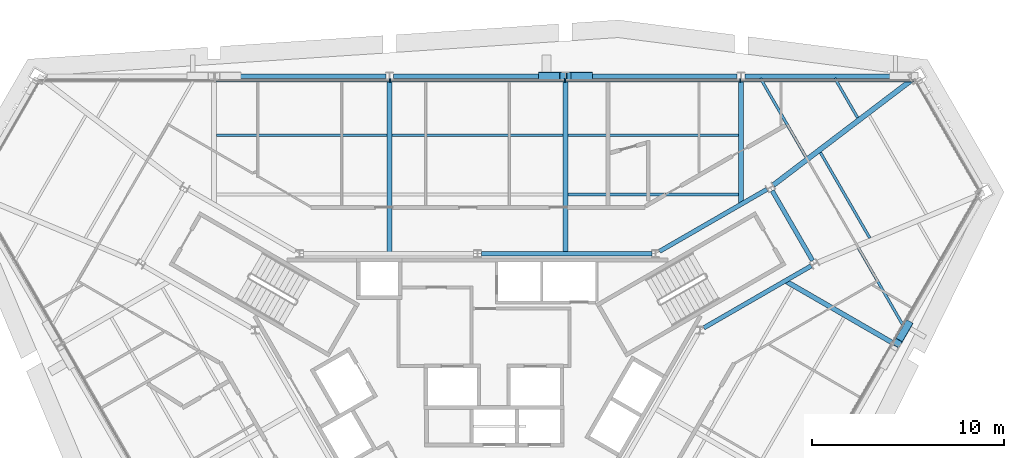
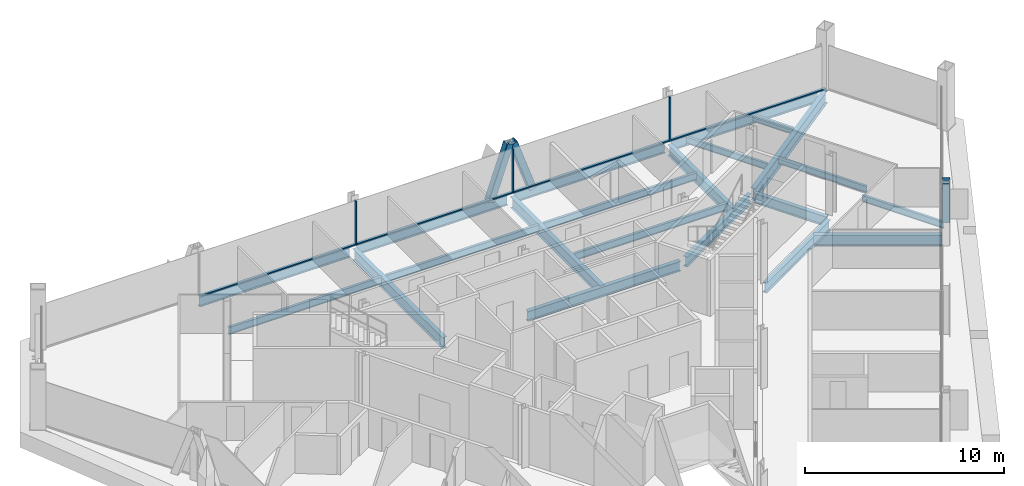
# One storey, part 7 of 15: 21 beams, 10 members, 1 element without a shape of its own.
"""IFC4 building model written with IfcOpenShell, lengths in metres."""

import ifcopenshell
import ifcopenshell.guid

model = None  # the IFC model being written
_history = None  # IfcOwnerHistory: only IFC2X3 demands one
_inside = {}  # id of a spatial element -> (the spatial element, [elements in it])
_under = {}  # id of a project, library or spatial element -> (it, [spatial elements below it])
_declared = {}  # id of a project -> (the project, [libraries it declares])
_typed = {}  # id of a type object -> (the type object, [elements of that type])
_made_of = {}  # id of a material, layer set ... -> (it, [elements and type objects made of it])


def new_model(schema):
    """Start an empty IFC model of exactly this schema.

    Asked for "IFC4X3", IfcOpenShell would pick the latest addendum, in which some entities
    have other attributes; the version numbers below select the first issue.
    IFC2X3 requires an IfcOwnerHistory on every rooted entity: one is made here for all.
    """
    global model, _history
    if schema == "IFC4X3":
        model = ifcopenshell.file(schema_version=(4, 3, 0, 0))
    else:
        model = ifcopenshell.file(schema=schema)
    _inside.clear()
    _under.clear()
    _declared.clear()
    _typed.clear()
    _made_of.clear()
    _history = None
    if model.schema == "IFC2X3":
        org = make("IfcOrganization", Name="unknown")
        user = make(
            "IfcPersonAndOrganization",
            ThePerson=make("IfcPerson", FamilyName="unknown"),
            TheOrganization=org,
        )
        app = make(
            "IfcApplication",
            ApplicationDeveloper=org,
            Version="unknown",
            ApplicationFullName="unknown",
            ApplicationIdentifier="unknown",
        )
        _history = make(
            "IfcOwnerHistory",
            OwningUser=user,
            OwningApplication=app,
            ChangeAction="ADDED",
            CreationDate=0,
        )
    return model


def make(cls, **values):
    """One entity of the class cls with the attributes given. An attribute that is None is left unset."""
    return model.create_entity(
        cls, **{name: value for name, value in values.items() if value is not None}
    )


def rooted(cls, **values):
    """An entity with a GlobalId (a new one), such as an element, a storey or a relation."""
    return make(cls, GlobalId=ifcopenshell.guid.new(), OwnerHistory=_history, **values)


def si_unit(unit_type, name, prefix=None):
    """IfcSIUnit, for example si_unit("LENGTHUNIT", "METRE", prefix="MILLI")."""
    return make("IfcSIUnit", UnitType=unit_type, Prefix=prefix, Name=name)


def assignment(units):
    """IfcUnitAssignment: the units of a project."""
    return None if units is None else make("IfcUnitAssignment", Units=units)


def point(xyz):
    """IfcCartesianPoint."""
    return None if xyz is None else make("IfcCartesianPoint", Coordinates=xyz)


def direction(xyz):
    """IfcDirection."""
    return None if xyz is None else make("IfcDirection", DirectionRatios=xyz)


def frame(location, z_axis=None, x_axis=None):
    """IfcAxis2Placement3D, a coordinate frame: its origin and axes. An axis left out is left unset."""
    return make(
        "IfcAxis2Placement3D",
        Location=point(location),
        Axis=direction(z_axis),
        RefDirection=direction(x_axis),
    )


def frame_2d(location, x_axis=None):
    """IfcAxis2Placement2D, a coordinate frame in the plane: its origin and x axis."""
    return make(
        "IfcAxis2Placement2D", Location=point(location), RefDirection=direction(x_axis)
    )


def origin():
    """The frame at (0, 0, 0) with its axes left unset."""
    return frame((0.0, 0.0, 0.0))


def origin_2d():
    """The frame at (0, 0) in the plane with its x axis left unset."""
    return frame_2d((0.0, 0.0))


def place(relative_to, where):
    """IfcLocalPlacement: puts the frame where relative to a parent placement (None: the world)."""
    return make(
        "IfcLocalPlacement", PlacementRelTo=relative_to, RelativePlacement=where
    )


def context(
    kind, dimensions, precision=None, world=None, true_north=None, identifier=None
):
    """IfcGeometricRepresentationContext, for example the 3D "Model" context."""
    return make(
        "IfcGeometricRepresentationContext",
        ContextIdentifier=identifier,
        ContextType=kind,
        CoordinateSpaceDimension=dimensions,
        Precision=precision,
        WorldCoordinateSystem=world,
        TrueNorth=true_north,
    )


def subcontext(parent, identifier, kind, view, scale=None):
    """IfcGeometricRepresentationSubContext, for example "Body" below "Model"."""
    return make(
        "IfcGeometricRepresentationSubContext",
        ContextIdentifier=identifier,
        ContextType=kind,
        ParentContext=parent,
        TargetScale=scale,
        TargetView=view,
    )


def project(units=None, contexts=None):
    """IfcProject with its units and contexts."""
    return rooted(
        "IfcProject",
        Name="project",
        RepresentationContexts=contexts,
        UnitsInContext=assignment(units),
    )


def spatial(cls, under=None, at=None, **own):
    """A site, building, storey or space (cls), placed at a placement, below another one or the project."""
    s = rooted(cls, ObjectPlacement=at, **own)
    if under is not None:
        _under.setdefault(under.id(), (under, []))[1].append(s)
    return s


def profile(cls, at=None, kind="AREA", **sizes):
    """A parametric profile (cls). Its sizes go by their IFC names, for example OverallWidth=200.0."""
    return make(cls, ProfileType=kind, Position=at, **sizes)


def rectangle(**sizes):
    """IfcRectangleProfileDef."""
    return profile("IfcRectangleProfileDef", **sizes)


def hollow_rectangle(**sizes):
    """IfcRectangleHollowProfileDef."""
    return profile("IfcRectangleHollowProfileDef", **sizes)


def i_section(**sizes):
    """IfcIShapeProfileDef."""
    return profile("IfcIShapeProfileDef", **sizes)


def extrude(swept, where, along, depth):
    """IfcExtrudedAreaSolid: the profile swept, set in the frame where, extruded along a direction by depth."""
    return make(
        "IfcExtrudedAreaSolid",
        SweptArea=swept,
        Position=where,
        ExtrudedDirection=direction(along),
        Depth=depth,
    )


def shape(context_of_items, identifier, shape_type, items):
    """IfcShapeRepresentation: the items that make up one representation, for example the "Body"."""
    return make(
        "IfcShapeRepresentation",
        ContextOfItems=context_of_items,
        RepresentationIdentifier=identifier,
        RepresentationType=shape_type,
        Items=items,
    )


def material(Name=None, Category=None):
    """IfcMaterial."""
    return make("IfcMaterial", Name=Name, Category=Category)


def material_profile(
    of_material, cross_section, Name=None, Category=None, Priority=None
):
    """IfcMaterialProfile: a cross section and its material."""
    return make(
        "IfcMaterialProfile",
        Name=Name,
        Material=of_material,
        Profile=cross_section,
        Priority=Priority,
        Category=Category,
    )


def profile_set(profiles, Name=None, composite=None):
    """IfcMaterialProfileSet."""
    return make(
        "IfcMaterialProfileSet",
        Name=Name,
        MaterialProfiles=profiles,
        CompositeProfile=composite,
    )


def made_of(thing, what):
    """Note that an element or type object is made of a material, layer set ...; save() writes the relation."""
    if what is not None:
        _made_of.setdefault(what.id(), (what, []))[1].append(thing)
    return thing


def type_object(cls, material=None, **own):
    """A type object (cls), such as IfcWallType, which elements share."""
    return made_of(rooted(cls, **own), material)


def element(
    cls,
    number,
    at=None,
    inside=None,
    cuts=None,
    type_object=None,
    material=None,
    context=None,
    identifier="Body",
    shape_type=None,
    held_by="IfcProductDefinitionShape",
    body=None,
    shapes=None,
    **own,
):
    """One element of the class cls, such as IfcWall. Its Tag is "e" and its number.

    at: its placement. inside: the storey or other place that contains it. cuts: it is an
    opening in that element (IfcRelVoidsElement). A single representation is given by context,
    identifier, shape_type and body (its items); several are given by shapes. held_by: the class
    of the entity that holds the representations. save() writes the other relations.
    """
    e = rooted(cls, Tag="e%d" % number, ObjectPlacement=at, **own)
    if body is not None:
        shapes = [shape(context, identifier, shape_type, body)]
    if shapes is not None:
        e.Representation = make(held_by, Representations=shapes)
    if inside is not None:
        _inside.setdefault(inside.id(), (inside, []))[1].append(e)
    if cuts is not None:
        rooted(
            "IfcRelVoidsElement", RelatingBuildingElement=cuts, RelatedOpeningElement=e
        )
    if type_object is not None:
        _typed.setdefault(type_object.id(), (type_object, []))[1].append(e)
    return made_of(e, material)


def aggregate(whole, parts):
    """IfcRelAggregates: a whole, such as a stair, and the parts it consists of."""
    return rooted("IfcRelAggregates", RelatingObject=whole, RelatedObjects=parts)


def save(model, path):
    """Write the relations noted so far, then the file.

    IfcRelAggregates (storeys below a building ...), IfcRelContainedInSpatialStructure (elements
    in a storey), IfcRelDefinesByType, IfcRelAssociatesMaterial and IfcRelDeclares: one each for
    every whole, place, type object, material and project.
    """
    for whole, parts in _under.values():
        aggregate(whole, parts)
    for where, things in _inside.values():
        rooted(
            "IfcRelContainedInSpatialStructure",
            RelatedElements=things,
            RelatingStructure=where,
        )
    for kind, things in _typed.values():
        rooted("IfcRelDefinesByType", RelatedObjects=things, RelatingType=kind)
    for what, things in _made_of.values():
        rooted("IfcRelAssociatesMaterial", RelatedObjects=things, RelatingMaterial=what)
    for by, libraries in _declared.values():
        rooted("IfcRelDeclares", RelatingContext=by, RelatedDefinitions=libraries)
    model.write(path)


model = new_model("IFC4")

# Units and contexts
model_context = context("Model", 3, precision=1e-05, world=origin(), true_north=direction((0.0, 1.0)))
body_context = subcontext(model_context, "Body", "Model", "MODEL_VIEW")
ifc_project = project(units=[si_unit("LENGTHUNIT", "METRE"), si_unit("AREAUNIT", "SQUARE_METRE"), si_unit("VOLUMEUNIT", "CUBIC_METRE"), si_unit("PLANEANGLEUNIT", "RADIAN"), si_unit("MASSUNIT", "GRAM", prefix="KILO")], contexts=[model_context])

# Site, building, storey
site_placement = place(None, origin())
site = spatial("IfcSite", under=ifc_project, at=site_placement, CompositionType="ELEMENT")
building_placement = place(site_placement, origin())
building = spatial("IfcBuilding", under=site, at=building_placement, Name="Verrane Prism Tower", CompositionType="ELEMENT")
storey_placement = place(building_placement, frame((0.0, 0.0, 254.5)))
storey = spatial("IfcBuildingStorey", under=building, at=storey_placement, Name="L64", CompositionType="ELEMENT", Elevation=254.5)

# Beams
ifc_material_1 = material(Name="Steel A992", Category="steel")
ifc_material_profile_1 = material_profile(ifc_material_1, i_section(OverallWidth=0.23046875, OverallDepth=0.6171875, WebThickness=0.01318359375, FlangeThickness=0.022216796875, FilletRadius=0.012939453125, at=origin_2d()), Name="W24x94")
ifc_profile_set_1 = profile_set([ifc_material_profile_1], Name="Steel A992")
beam_type_1 = type_object("IfcBeamType", Name="Core ring girder W24x94", PredefinedType="BEAM", material=ifc_profile_set_1)
beam_1_placement = place(storey_placement, frame((11.759521484375, 4.135009765625, -0.55859375), z_axis=(0.866080992722, 0.499903704773, 0.0), x_axis=(-0.499903704773, 0.866080992722, 0.0)))
element("IfcBeam", 1, at=beam_1_placement, inside=storey, type_object=beam_type_1, Name="Core ring girder L64", PredefinedType="BEAM", context=body_context, shape_type="SweptSolid", body=[
    extrude(i_section(OverallWidth=0.23046875, OverallDepth=0.6171875, WebThickness=0.01318359375, FlangeThickness=0.022216796875, FilletRadius=0.012939453125, at=origin_2d()), origin(), (0.0, 0.0, 1.0), 6.451904296875),
])
beam_2_placement = place(storey_placement, frame((17.419677734375, 7.6337890625, -0.55859375), z_axis=(-0.500375511519, 0.865808493532, 0.0), x_axis=(-0.865808493532, -0.500375511519, 0.0)))
element("IfcBeam", 2, at=beam_2_placement, inside=storey, type_object=beam_type_1, Name="Core ring girder L64", PredefinedType="BEAM", context=body_context, shape_type="SweptSolid", body=[
    extrude(i_section(OverallWidth=0.23046875, OverallDepth=0.6171875, WebThickness=0.01318359375, FlangeThickness=0.022216796875, FilletRadius=0.012939453125, at=origin_2d()), origin(), (0.0, 0.0, 1.0), 4.195556640625),
])
beam_3_placement = place(storey_placement, frame((15.04736328125, 11.34033203125, -0.55859375), z_axis=(-0.866080992722, -0.499903704773, 0.0), x_axis=(0.499903704773, -0.866080992722, 0.0)))
element("IfcBeam", 3, at=beam_3_placement, inside=storey, type_object=beam_type_1, Name="Core ring girder L64", PredefinedType="BEAM", context=body_context, shape_type="SweptSolid", body=[
    extrude(i_section(OverallWidth=0.23046875, OverallDepth=0.6171875, WebThickness=0.01318359375, FlangeThickness=0.022216796875, FilletRadius=0.012939453125, at=origin_2d()), origin(), (0.0, 0.0, 1.0), 6.451904296875),
])
beam_4_placement = place(storey_placement, frame((9.060546875, 8.0, -0.55859375), z_axis=(-1.0, 0.0, 0.0), x_axis=(0.0, -1.0, 0.0)))
element("IfcBeam", 4, at=beam_4_placement, inside=storey, type_object=beam_type_1, Name="Core ring girder L64", PredefinedType="BEAM", context=body_context, shape_type="SweptSolid", body=[
    extrude(i_section(OverallWidth=0.23046875, OverallDepth=0.6171875, WebThickness=0.01318359375, FlangeThickness=0.022216796875, FilletRadius=0.012939453125, at=origin_2d()), origin(), (0.0, 0.0, 1.0), 8.861083984375),
])
ifc_material_2 = material(Name="Steel A992", Category="steel")
ifc_material_profile_2 = material_profile(ifc_material_2, i_section(OverallWidth=0.2666015625, OverallDepth=0.76708984375, WebThickness=0.014892578125, FlangeThickness=0.023681640625, FilletRadius=0.0166015625, at=origin_2d()), Name="W30x124")
ifc_profile_set_2 = profile_set([ifc_material_profile_2], Name="Steel A992")
beam_type_2 = type_object("IfcBeamType", Name="Corner girder W30x124", PredefinedType="BEAM", material=ifc_profile_set_2)
beam_5_placement = place(storey_placement, frame((22.838134765625, 17.228515625, -0.603515625), z_axis=(-0.796227983739, -0.604996692479, 0.0), x_axis=(0.604996692479, -0.796227983739, 0.0)))
element("IfcBeam", 5, at=beam_5_placement, inside=storey, type_object=beam_type_2, Name="Corner girder L64", PredefinedType="BEAM", context=body_context, shape_type="SweptSolid", body=[
    extrude(i_section(OverallWidth=0.2666015625, OverallDepth=0.76708984375, WebThickness=0.014892578125, FlangeThickness=0.023681640625, FilletRadius=0.0166015625, at=origin_2d()), origin(), (0.0, 0.0, 1.0), 9.366943359375),
])

# Members
ifc_material_3 = material(Name="Steel A500 Grade C", Category="steel")
ifc_material_profile_3 = material_profile(ifc_material_3, hollow_rectangle(XDim=0.406494140625, YDim=0.406494140625, WallThickness=0.01904296875, InnerFilletRadius=0.009521484375, OuterFilletRadius=0.028564453125, at=origin_2d()), Name="HSS16x16x3/4")
ifc_profile_set_3 = profile_set([ifc_material_profile_3], Name="Steel A500 Grade C")
member_type_1 = type_object("IfcMemberType", Name="Facade brace HSS16x16x3/4", PredefinedType="BRACE", material=ifc_profile_set_3)
member_1_placement = place(storey_placement, frame((5.786376953125, 17.22998046875, -0.216796875), z_axis=(-0.329540368296, 0.0, 0.944141486041), x_axis=(0.0, -1.0, 0.0)))
element("IfcMember", 6, at=member_1_placement, inside=storey, type_object=member_type_1, Name="Facade brace N1 L64", PredefinedType="BRACE", context=body_context, shape_type="SweptSolid", body=[
    extrude(hollow_rectangle(XDim=0.406494140625, YDim=0.406494140625, WallThickness=0.01904296875, InnerFilletRadius=0.009521484375, OuterFilletRadius=0.028564453125, at=origin_2d()), origin(), (0.0, 0.0, 1.0), 3.3701171875),
])
member_2_placement = place(storey_placement, frame((3.35205078125, 17.22998046875, -0.216796875), z_axis=(0.32870049797, 0.0, 0.944434212973), x_axis=(0.0, 1.0, 0.0)))
element("IfcMember", 7, at=member_2_placement, inside=storey, type_object=member_type_1, Name="Facade brace N2 L64", PredefinedType="BRACE", context=body_context, shape_type="SweptSolid", body=[
    extrude(hollow_rectangle(XDim=0.406494140625, YDim=0.406494140625, WallThickness=0.01904296875, InnerFilletRadius=0.009521484375, OuterFilletRadius=0.028564453125, at=origin_2d()), origin(), (0.0, 0.0, 1.0), 3.369140625),
])
member_3_placement = place(storey_placement, frame((22.37890625, 4.30419921875, -0.216796875), z_axis=(-0.163928143657, -0.284663902866, 0.944507292784), x_axis=(0.86658198229, -0.499034736237, 0.0)))
element("IfcMember", 8, at=member_3_placement, inside=storey, type_object=member_type_1, Name="Facade brace SE4 L64", PredefinedType="BRACE", context=body_context, shape_type="SweptSolid", body=[
    extrude(hollow_rectangle(XDim=0.406494140625, YDim=0.406494140625, WallThickness=0.01904296875, InnerFilletRadius=0.009521484375, OuterFilletRadius=0.028564453125, at=origin_2d()), origin(), (0.0, 0.0, 1.0), 3.368896484375),
])

# Beams
ifc_material_4 = material(Name="Steel A992", Category="steel")
ifc_material_profile_4 = material_profile(ifc_material_4, i_section(OverallWidth=0.140380859375, OverallDepth=0.40380859375, WebThickness=0.007080078125, FlangeThickness=0.01123046875, FilletRadius=0.01025390625, at=origin_2d()), Name="W16x31")
ifc_profile_set_4 = profile_set([ifc_material_profile_4], Name="Steel A992")
beam_type_3 = type_object("IfcBeamType", Name="Floor beam W16x31", PredefinedType="BEAM", material=ifc_profile_set_4)
beam_6_placement = place(storey_placement, frame((19.7626953125, 15.0595703125, -0.36181640625), z_axis=(-0.499945073215, 0.866057113456, 0.0), x_axis=(-0.866057113456, -0.499945073215, 0.0)))
element("IfcBeam", 9, at=beam_6_placement, inside=storey, type_object=beam_type_3, Name="Floor beam L64", PredefinedType="BEAM", context=body_context, shape_type="SweptSolid", body=[
    extrude(i_section(OverallWidth=0.140380859375, OverallDepth=0.40380859375, WebThickness=0.007080078125, FlangeThickness=0.01123046875, FilletRadius=0.01025390625, at=origin_2d()), origin(), (0.0, 0.0, 1.0), 2.373291015625),
])
beam_7_placement = place(storey_placement, frame((17.073974609375, 13.016357421875, -0.36181640625), z_axis=(-0.499978475836, 0.86603783041, 0.0), x_axis=(-0.86603783041, -0.499978475836, 0.0)))
element("IfcBeam", 10, at=beam_7_placement, inside=storey, type_object=beam_type_3, Name="Floor beam L64", PredefinedType="BEAM", context=body_context, shape_type="SweptSolid", body=[
    extrude(i_section(OverallWidth=0.140380859375, OverallDepth=0.40380859375, WebThickness=0.007080078125, FlangeThickness=0.01123046875, FilletRadius=0.01025390625, at=origin_2d()), origin(), (0.0, 0.0, 1.0), 4.732666015625),
])
beam_8_placement = place(storey_placement, frame((22.175048828125, 4.180908203125, -0.36181640625), z_axis=(-0.49998166818, 0.866035987407, 0.0), x_axis=(-0.866035987407, -0.49998166818, 0.0)))
element("IfcBeam", 11, at=beam_8_placement, inside=storey, type_object=beam_type_3, Name="Floor beam L64", PredefinedType="BEAM", context=body_context, shape_type="SweptSolid", body=[
    extrude(i_section(OverallWidth=0.140380859375, OverallDepth=0.40380859375, WebThickness=0.007080078125, FlangeThickness=0.01123046875, FilletRadius=0.01025390625, at=origin_2d()), origin(), (0.0, 0.0, 1.0), 4.728759765625),
])
beam_9_placement = place(storey_placement, frame((20.392822265625, 8.809814453125, -0.36181640625), z_axis=(-0.499987429501, 0.866032661244, 0.0), x_axis=(-0.866032661244, -0.499987429501, 0.0)))
element("IfcBeam", 12, at=beam_9_placement, inside=storey, type_object=beam_type_3, Name="Floor beam L64", PredefinedType="BEAM", context=body_context, shape_type="SweptSolid", body=[
    extrude(i_section(OverallWidth=0.140380859375, OverallDepth=0.40380859375, WebThickness=0.007080078125, FlangeThickness=0.01123046875, FilletRadius=0.01025390625, at=origin_2d()), origin(), (0.0, 0.0, 1.0), 5.131103515625),
])
ifc_material_5 = material(Name="Steel A992", Category="steel")
ifc_material_profile_5 = material_profile(ifc_material_5, i_section(OverallWidth=0.15234375, OverallDepth=0.449462890625, WebThickness=0.007568359375, FlangeThickness=0.0107421875, FilletRadius=0.01025390625, at=origin_2d()), Name="W18x35")
ifc_profile_set_5 = profile_set([ifc_material_profile_5], Name="Steel A992")
beam_type_4 = type_object("IfcBeamType", Name="Floor beam W18x35", PredefinedType="BEAM", material=ifc_profile_set_5)
for number, where, z_axis, x_axis, name in (
    (13, (4.697021484375, 11.07666015625, -0.384765625), (1.0, 0.0, 0.0), (0.0, 1.0, 0.0), "Floor beam L64"),
    (14, (4.697021484375, 14.1533203125, -0.384765625), (1.0, 0.0, 0.0), (0.0, 1.0, 0.0), "Floor beam L64"),
):
    element("IfcBeam", number, at=place(storey_placement, frame(where, z_axis=z_axis, x_axis=x_axis)), inside=storey, type_object=beam_type_4, Name=name, PredefinedType="BEAM", context=body_context, shape_type="SweptSolid", body=[
        extrude(i_section(OverallWidth=0.15234375, OverallDepth=0.449462890625, WebThickness=0.007568359375, FlangeThickness=0.0107421875, FilletRadius=0.01025390625, at=origin_2d()), origin(), (0.0, 0.0, 1.0), 8.8759765625),
    ])
beam_10_placement = place(storey_placement, frame((-4.443115234375, 14.1533203125, -0.384765625), z_axis=(1.0, 0.0, 0.0), x_axis=(0.0, 1.0, 0.0)))
element("IfcBeam", 15, at=beam_10_placement, inside=storey, type_object=beam_type_4, Name="Floor beam L64", PredefinedType="BEAM", context=body_context, shape_type="SweptSolid", body=[
    extrude(i_section(OverallWidth=0.15234375, OverallDepth=0.449462890625, WebThickness=0.007568359375, FlangeThickness=0.0107421875, FilletRadius=0.01025390625, at=origin_2d()), origin(), (0.0, 0.0, 1.0), 8.88623046875),
])
beam_11_placement = place(storey_placement, frame((-13.572998046875, 14.1533203125, -0.384765625), z_axis=(1.0, 0.0, 0.0), x_axis=(0.0, 1.0, 0.0)))
element("IfcBeam", 16, at=beam_11_placement, inside=storey, type_object=beam_type_4, Name="Floor beam L64", PredefinedType="BEAM", context=body_context, shape_type="SweptSolid", body=[
    extrude(i_section(OverallWidth=0.15234375, OverallDepth=0.449462890625, WebThickness=0.007568359375, FlangeThickness=0.0107421875, FilletRadius=0.01025390625, at=origin_2d()), origin(), (0.0, 0.0, 1.0), 8.8759765625),
])

# Curtain wall, members
ifc_material_6 = material(Name="Aluminium framed insulated glazing", Category="aluminium")
curtain_wall_type = type_object("IfcCurtainWallType", Name="Curtain wall CW-A 8400 module", PredefinedType="NOTDEFINED", material=ifc_material_6)
curtain_wall_placement = place(storey_placement, origin())
curtain_wall = element("IfcCurtainWall", 17, at=curtain_wall_placement, inside=storey, type_object=curtain_wall_type, Name="Glazed curtain wall north face L64", PredefinedType="NOTDEFINED")
ifc_material_7 = material(Name="Aluminium alloy 6063-T6", Category="aluminium")
ifc_material_profile_6 = material_profile(ifc_material_7, rectangle(XDim=0.199951171875, YDim=0.070068359375, at=origin_2d()), Name="Mullion 70x200 aluminium")
ifc_profile_set_6 = profile_set([ifc_material_profile_6], Name="Aluminium alloy 6063-T6")
member_type_2 = type_object("IfcMemberType", Name="Mullion 70x200 aluminium", PredefinedType="MULLION", material=ifc_profile_set_6)
member_4_placement = place(storey_placement, frame((13.658447265625, 17.001708984375, 0.0), z_axis=(0.0, 0.0, 1.0), x_axis=(0.0, -1.0, 0.0)))
member_4 = element("IfcMember", 18, at=member_4_placement, type_object=member_type_2, Name="CW62.2 mullion 2", PredefinedType="MULLION", context=body_context, shape_type="SweptSolid", body=[
    extrude(rectangle(XDim=0.199951171875, YDim=0.070068359375, at=origin_2d()), origin(), (0.0, 0.0, 1.0), 2.712890625),
])
member_5_placement = place(storey_placement, frame((4.552734375, 17.001708984375, 0.0), z_axis=(0.0, 0.0, 1.0), x_axis=(0.0, -1.0, 0.0)))
member_5 = element("IfcMember", 19, at=member_5_placement, type_object=member_type_2, Name="CW62.2 mullion 3", PredefinedType="MULLION", context=body_context, shape_type="SweptSolid", body=[
    extrude(rectangle(XDim=0.199951171875, YDim=0.070068359375, at=origin_2d()), origin(), (0.0, 0.0, 1.0), 2.712890625),
])
member_6_placement = place(storey_placement, frame((-4.552734375, 17.001708984375, 0.0), z_axis=(0.0, 0.0, 1.0), x_axis=(0.0, -1.0, 0.0)))
member_6 = element("IfcMember", 20, at=member_6_placement, type_object=member_type_2, Name="CW62.2 mullion 4", PredefinedType="MULLION", context=body_context, shape_type="SweptSolid", body=[
    extrude(rectangle(XDim=0.199951171875, YDim=0.070068359375, at=origin_2d()), origin(), (0.0, 0.0, 1.0), 2.712890625),
])

# Beams
ifc_material_8 = material(Name="Steel A992", Category="steel")
ifc_material_profile_7 = material_profile(ifc_material_8, i_section(OverallWidth=0.25390625, OverallDepth=0.683349609375, WebThickness=0.012451171875, FlangeThickness=0.01904296875, FilletRadius=0.01513671875, at=origin_2d()), Name="W27x94")
ifc_profile_set_7 = profile_set([ifc_material_profile_7], Name="Steel A992")
beam_type_5 = type_object("IfcBeamType", Name="Radial girder W27x94", PredefinedType="BEAM", material=ifc_profile_set_7)
beam_12_placement = place(storey_placement, frame((13.699951171875, 17.037109375, -0.5615234375), z_axis=(0.0, -1.0, 0.0), x_axis=(1.0, 0.0, 0.0)))
element("IfcBeam", 21, at=beam_12_placement, inside=storey, type_object=beam_type_5, Name="Radial girder L64", PredefinedType="BEAM", context=body_context, shape_type="SweptSolid", body=[
    extrude(i_section(OverallWidth=0.25390625, OverallDepth=0.683349609375, WebThickness=0.012451171875, FlangeThickness=0.01904296875, FilletRadius=0.01513671875, at=origin_2d()), origin(), (0.0, 0.0, 1.0), 6.474365234375),
])
for number, where, z_axis, x_axis, name in (
    (22, (4.570068359375, 17.037109375, -0.5615234375), (0.0, -1.0, 0.0), (1.0, 0.0, 0.0), "Radial girder L64"),
    (23, (-4.570068359375, 17.037109375, -0.5615234375), (0.0, -1.0, 0.0), (1.0, 0.0, 0.0), "Radial girder L64"),
):
    element("IfcBeam", number, at=place(storey_placement, frame(where, z_axis=z_axis, x_axis=x_axis)), inside=storey, type_object=beam_type_5, Name=name, PredefinedType="BEAM", context=body_context, shape_type="SweptSolid", body=[
        extrude(i_section(OverallWidth=0.25390625, OverallDepth=0.683349609375, WebThickness=0.012451171875, FlangeThickness=0.01904296875, FilletRadius=0.01513671875, at=origin_2d()), origin(), (0.0, 0.0, 1.0), 9.037109375),
    ])
beam_13_placement = place(storey_placement, frame((21.602783203125, 3.346435546875, -0.5615234375), z_axis=(-0.866017203851, 0.500014202433, 0.0), x_axis=(-0.500014202433, -0.866017203851, 0.0)))
element("IfcBeam", 24, at=beam_13_placement, inside=storey, type_object=beam_type_5, Name="Radial girder L64", PredefinedType="BEAM", context=body_context, shape_type="SweptSolid", body=[
    extrude(i_section(OverallWidth=0.25390625, OverallDepth=0.683349609375, WebThickness=0.012451171875, FlangeThickness=0.01904296875, FilletRadius=0.01513671875, at=origin_2d()), origin(), (0.0, 0.0, 1.0), 6.470947265625),
])
ifc_material_9 = material(Name="Steel A992", Category="steel")
ifc_material_profile_8 = material_profile(ifc_material_9, i_section(OverallWidth=0.23046875, OverallDepth=0.6171875, WebThickness=0.01318359375, FlangeThickness=0.022216796875, FilletRadius=0.012939453125, at=origin_2d()), Name="W24x94")
ifc_profile_set_8 = profile_set([ifc_material_profile_8], Name="Steel A992")
beam_type_6 = type_object("IfcBeamType", Name="Spandrel beam W24x94", PredefinedType="SPANDREL", material=ifc_profile_set_8)
beam_14_placement = place(storey_placement, frame((22.378173828125, 17.22998046875, -0.468505859375), z_axis=(-1.0, 0.0, 0.0), x_axis=(0.0, -1.0, 0.0)))
element("IfcBeam", 25, at=beam_14_placement, inside=storey, type_object=beam_type_6, Name="Spandrel beam L64", PredefinedType="SPANDREL", context=body_context, shape_type="SweptSolid", body=[
    extrude(i_section(OverallWidth=0.23046875, OverallDepth=0.6171875, WebThickness=0.01318359375, FlangeThickness=0.022216796875, FilletRadius=0.012939453125, at=origin_2d()), origin(), (0.0, 0.0, 1.0), 8.478759765625),
])
beam_15_placement = place(storey_placement, frame((13.50048828125, 17.22998046875, -0.468505859375), z_axis=(-1.0, 0.0, 0.0), x_axis=(0.0, -1.0, 0.0)))
element("IfcBeam", 26, at=beam_15_placement, inside=storey, type_object=beam_type_6, Name="Spandrel beam L64", PredefinedType="SPANDREL", context=body_context, shape_type="SweptSolid", body=[
    extrude(i_section(OverallWidth=0.23046875, OverallDepth=0.6171875, WebThickness=0.01318359375, FlangeThickness=0.022216796875, FilletRadius=0.012939453125, at=origin_2d()), origin(), (0.0, 0.0, 1.0), 8.731201171875),
])
beam_16_placement = place(storey_placement, frame((4.37060546875, 17.22998046875, -0.468505859375), z_axis=(-1.0, 0.0, 0.0), x_axis=(0.0, -1.0, 0.0)))
element("IfcBeam", 27, at=beam_16_placement, inside=storey, type_object=beam_type_6, Name="Spandrel beam L64", PredefinedType="SPANDREL", context=body_context, shape_type="SweptSolid", body=[
    extrude(i_section(OverallWidth=0.23046875, OverallDepth=0.6171875, WebThickness=0.01318359375, FlangeThickness=0.022216796875, FilletRadius=0.012939453125, at=origin_2d()), origin(), (0.0, 0.0, 1.0), 8.7412109375),
])
beam_17_placement = place(storey_placement, frame((-4.769287109375, 17.22998046875, -0.468505859375), z_axis=(-1.0, 0.0, 0.0), x_axis=(0.0, -1.0, 0.0)))
element("IfcBeam", 28, at=beam_17_placement, inside=storey, type_object=beam_type_6, Name="Spandrel beam L64", PredefinedType="SPANDREL", context=body_context, shape_type="SweptSolid", body=[
    extrude(i_section(OverallWidth=0.23046875, OverallDepth=0.6171875, WebThickness=0.01318359375, FlangeThickness=0.022216796875, FilletRadius=0.012939453125, at=origin_2d()), origin(), (0.0, 0.0, 1.0), 8.731201171875),
])

# Member
ifc_material_10 = material(Name="Aluminium alloy 6063-T6", Category="aluminium")
ifc_material_profile_9 = material_profile(ifc_material_10, rectangle(XDim=0.14990234375, YDim=0.070068359375, at=origin_2d()), Name="Transom 70x150 aluminium")
ifc_profile_set_9 = profile_set([ifc_material_profile_9], Name="Aluminium alloy 6063-T6")
member_type_3 = type_object("IfcMemberType", Name="Transom 70x150 aluminium", PredefinedType="USERDEFINED", material=ifc_profile_set_9)
member_7_placement = place(storey_placement, frame((22.694091796875, 17.001708984375, 0.034912109375), z_axis=(-1.0, 0.0, 0.0), x_axis=(0.0, -1.0, 0.0)))
member_7 = element("IfcMember", 29, at=member_7_placement, type_object=member_type_3, Name="CW62.2 transom 1", ObjectType="TRANSOM", PredefinedType="USERDEFINED", context=body_context, shape_type="SweptSolid", body=[
    extrude(rectangle(XDim=0.14990234375, YDim=0.070068359375, at=origin_2d()), origin(), (0.0, 0.0, 1.0), 9.000732421875),
])

member_8_placement = place(storey_placement, frame((13.62353515625, 17.001708984375, 0.034912109375), z_axis=(-1.0, 0.0, 0.0), x_axis=(0.0, -1.0, 0.0)))
member_8 = element("IfcMember", 30, at=member_8_placement, type_object=member_type_3, Name="CW62.2 transom 2", ObjectType="TRANSOM", PredefinedType="USERDEFINED", context=body_context, shape_type="SweptSolid", body=[
    extrude(rectangle(XDim=0.14990234375, YDim=0.070068359375, at=origin_2d()), origin(), (0.0, 0.0, 1.0), 9.03564453125),
])

member_9_placement = place(storey_placement, frame((4.517822265625, 17.001708984375, 0.034912109375), z_axis=(-1.0, 0.0, 0.0), x_axis=(0.0, -1.0, 0.0)))
member_9 = element("IfcMember", 31, at=member_9_placement, type_object=member_type_3, Name="CW62.2 transom 3", ObjectType="TRANSOM", PredefinedType="USERDEFINED", context=body_context, shape_type="SweptSolid", body=[
    extrude(rectangle(XDim=0.14990234375, YDim=0.070068359375, at=origin_2d()), origin(), (0.0, 0.0, 1.0), 9.03564453125),
])

member_10_placement = place(storey_placement, frame((-4.587890625, 17.001708984375, 0.034912109375), z_axis=(-1.0, 0.0, 0.0), x_axis=(0.0, -1.0, 0.0)))
member_10 = element("IfcMember", 32, at=member_10_placement, type_object=member_type_3, Name="CW62.2 transom 4", ObjectType="TRANSOM", PredefinedType="USERDEFINED", context=body_context, shape_type="SweptSolid", body=[
    extrude(rectangle(XDim=0.14990234375, YDim=0.070068359375, at=origin_2d()), origin(), (0.0, 0.0, 1.0), 9.03564453125),
])

aggregate(curtain_wall, [member_4, member_5, member_6, member_7, member_8, member_9, member_10])

save(model, "model.ifc")
